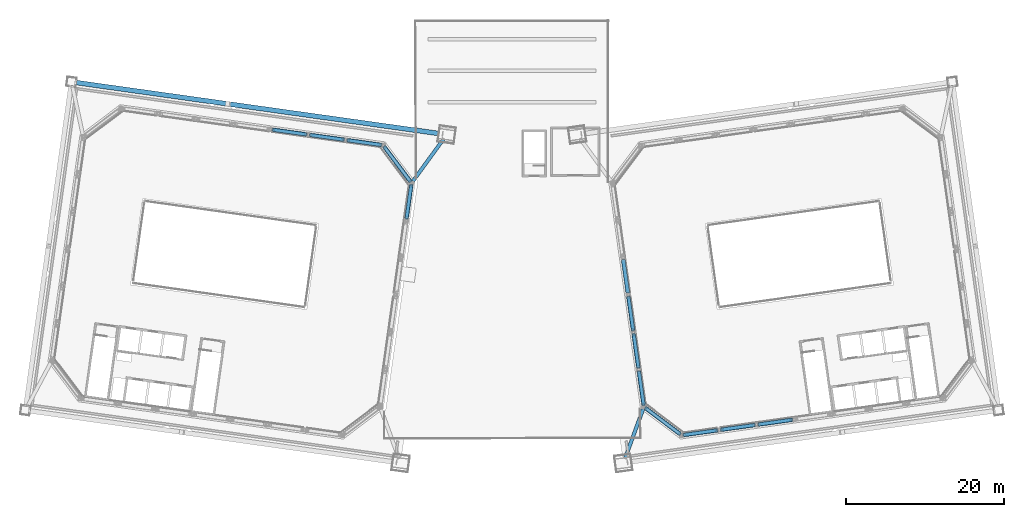
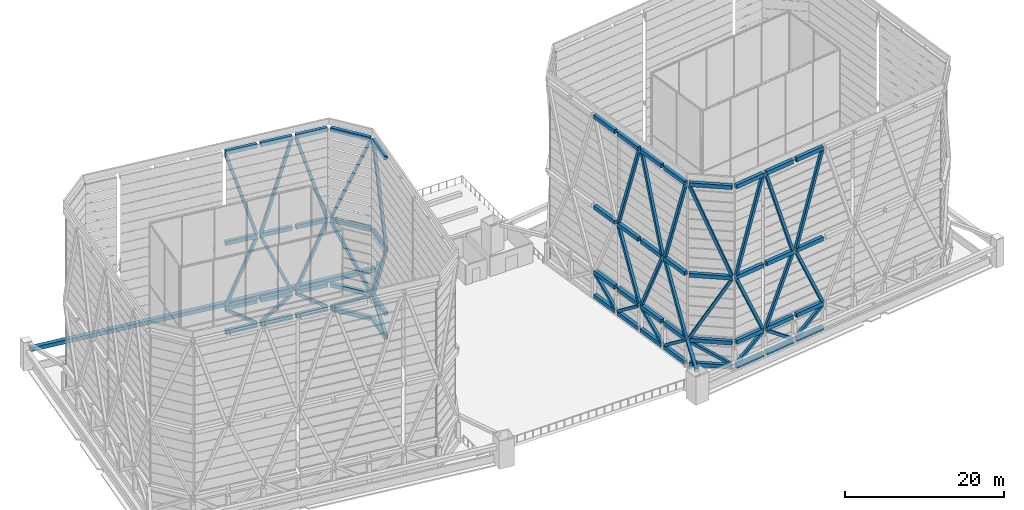
# One storey, part 10 of 45: 52 beams, 40 members.
"""IFC4 building model written with IfcOpenShell, lengths in metres."""

from ifc_helpers import new_model, si_unit, direction, frame, origin, origin_2d, place, context, subcontext, project, spatial, hollow_rectangle, extrude, material, material_profile, profile_set, type_object, element, save


model = new_model("IFC4")

# Units and contexts
model_context = context("Model", 3, precision=1e-05, world=origin(), true_north=direction((0.0, 1.0)))
body_context = subcontext(model_context, "Body", "Model", "MODEL_VIEW")
ifc_project = project(units=[si_unit("LENGTHUNIT", "METRE"), si_unit("AREAUNIT", "SQUARE_METRE"), si_unit("VOLUMEUNIT", "CUBIC_METRE"), si_unit("PLANEANGLEUNIT", "RADIAN"), si_unit("MASSUNIT", "GRAM", prefix="KILO")], contexts=[model_context])

# Site, building, storey
site_placement = place(None, origin())
site = spatial("IfcSite", under=ifc_project, at=site_placement, CompositionType="ELEMENT")
building_placement = place(site_placement, origin())
building = spatial("IfcBuilding", under=site, at=building_placement, Name="Mirante Cascada Hotel Towers", CompositionType="ELEMENT")
storey_placement = place(building_placement, frame((0.0, 0.0, 269.8)))
storey = spatial("IfcBuildingStorey", under=building, at=storey_placement, Name="Roof garden", CompositionType="ELEMENT", Elevation=269.8)

# Beams
ifc_material_1 = material(Name="Steel ASTM A572 Gr 50", Category="steel")
ifc_material_profile_1 = material_profile(ifc_material_1, hollow_rectangle(XDim=0.5, YDim=0.6, WallThickness=0.03, at=origin_2d()), Name="Box beam 600x500x30 ASTM A572 Gr 50")
ifc_profile_set_1 = profile_set([ifc_material_profile_1], Name="Steel ASTM A572 Gr 50")
beam_type = type_object("IfcBeamType", Name="Box beam 600x500x30 ASTM A572 Gr 50", PredefinedType="BEAM", material=ifc_profile_set_1)
beam_1_placement = place(storey_placement, frame((-13.3522, 5.5489, 0.3), z_axis=(0.1391856, 0.9902663, 0.0), x_axis=(-0.9902663, 0.1391856, 0.0)))
element("IfcBeam", 1, at=beam_1_placement, inside=storey, type_object=beam_type, Name="CROWN FRAME ring beam T1 7", PredefinedType="BEAM", context=body_context, shape_type="SweptSolid", body=[
    extrude(hollow_rectangle(XDim=0.5, YDim=0.6, WallThickness=0.03, at=origin_2d()), origin(), (0.0, 0.0, 1.0), 4.2713),
])
beam_2_placement = place(storey_placement, frame((-12.8734, 10.2258, 0.3), z_axis=(-0.6018225, 0.7986299, 0.0), x_axis=(-0.7986299, -0.6018225, 0.0)))
element("IfcBeam", 2, at=beam_2_placement, inside=storey, type_object=beam_type, Name="CROWN FRAME ring beam T1 8", PredefinedType="BEAM", context=body_context, shape_type="SweptSolid", body=[
    extrude(hollow_rectangle(XDim=0.5, YDim=0.6, WallThickness=0.03, at=origin_2d()), origin(), (0.0, 0.0, 1.0), 5.4912),
])
for number, where, z_axis, x_axis, name in (
    (3, (-16.5761, 14.8457, 0.3), (-0.9902679, 0.1391744, 0.0), (-0.1391744, -0.9902679, 0.0), "CROWN FRAME ring beam T1 9"),
    (4, (-21.317, 15.512, 0.3), (-0.9902679, 0.1391744, 0.0), (-0.1391744, -0.9902679, 0.0), "CROWN FRAME ring beam T1 10"),
    (5, (-26.0579, 16.1783, 0.3), (-0.9902679, 0.1391744, 0.0), (-0.1391744, -0.9902679, 0.0), "CROWN FRAME ring beam T1 11"),
):
    element("IfcBeam", number, at=place(storey_placement, frame(where, z_axis=z_axis, x_axis=x_axis)), inside=storey, type_object=beam_type, Name=name, PredefinedType="BEAM", context=body_context, shape_type="SweptSolid", body=[
        extrude(hollow_rectangle(XDim=0.5, YDim=0.6, WallThickness=0.03, at=origin_2d()), origin(), (0.0, 0.0, 1.0), 4.2874),
    ])
beam_3_placement = place(storey_placement, frame((-13.3522, 5.5489, 4.0), z_axis=(0.1391856, 0.9902663, 0.0), x_axis=(-0.9902663, 0.1391856, 0.0)))
element("IfcBeam", 6, at=beam_3_placement, inside=storey, type_object=beam_type, Name="CROWN FRAME ring beam T1 37", PredefinedType="BEAM", context=body_context, shape_type="SweptSolid", body=[
    extrude(hollow_rectangle(XDim=0.5, YDim=0.6, WallThickness=0.03, at=origin_2d()), origin(), (0.0, 0.0, 1.0), 4.2713),
])
beam_4_placement = place(storey_placement, frame((-12.8734, 10.2258, 4.0), z_axis=(-0.6018225, 0.7986299, 0.0), x_axis=(-0.7986299, -0.6018225, 0.0)))
element("IfcBeam", 7, at=beam_4_placement, inside=storey, type_object=beam_type, Name="CROWN FRAME ring beam T1 38", PredefinedType="BEAM", context=body_context, shape_type="SweptSolid", body=[
    extrude(hollow_rectangle(XDim=0.5, YDim=0.6, WallThickness=0.03, at=origin_2d()), origin(), (0.0, 0.0, 1.0), 5.4912),
])
for number, where, z_axis, x_axis, name in (
    (8, (-16.5761, 14.8457, 4.0), (-0.9902679, 0.1391744, 0.0), (-0.1391744, -0.9902679, 0.0), "CROWN FRAME ring beam T1 39"),
    (9, (-21.317, 15.512, 4.0), (-0.9902679, 0.1391744, 0.0), (-0.1391744, -0.9902679, 0.0), "CROWN FRAME ring beam T1 40"),
    (10, (-26.0579, 16.1783, 4.0), (-0.9902679, 0.1391744, 0.0), (-0.1391744, -0.9902679, 0.0), "CROWN FRAME ring beam T1 41"),
):
    element("IfcBeam", number, at=place(storey_placement, frame(where, z_axis=z_axis, x_axis=x_axis)), inside=storey, type_object=beam_type, Name=name, PredefinedType="BEAM", context=body_context, shape_type="SweptSolid", body=[
        extrude(hollow_rectangle(XDim=0.5, YDim=0.6, WallThickness=0.03, at=origin_2d()), origin(), (0.0, 0.0, 1.0), 4.2874),
    ])
beam_5_placement = place(storey_placement, frame((-13.3522, 5.5489, 14.0), z_axis=(0.1391856, 0.9902663, 0.0), x_axis=(-0.9902663, 0.1391856, 0.0)))
element("IfcBeam", 11, at=beam_5_placement, inside=storey, type_object=beam_type, Name="CROWN FRAME ring beam T1 67", PredefinedType="BEAM", context=body_context, shape_type="SweptSolid", body=[
    extrude(hollow_rectangle(XDim=0.5, YDim=0.6, WallThickness=0.03, at=origin_2d()), origin(), (0.0, 0.0, 1.0), 4.2713),
])
beam_6_placement = place(storey_placement, frame((-12.8734, 10.2258, 14.0), z_axis=(-0.6018225, 0.7986299, 0.0), x_axis=(-0.7986299, -0.6018225, 0.0)))
element("IfcBeam", 12, at=beam_6_placement, inside=storey, type_object=beam_type, Name="CROWN FRAME ring beam T1 68", PredefinedType="BEAM", context=body_context, shape_type="SweptSolid", body=[
    extrude(hollow_rectangle(XDim=0.5, YDim=0.6, WallThickness=0.03, at=origin_2d()), origin(), (0.0, 0.0, 1.0), 5.4912),
])
for number, where, z_axis, x_axis, name in (
    (13, (-16.5761, 14.8457, 14.0), (-0.9902679, 0.1391744, 0.0), (-0.1391744, -0.9902679, 0.0), "CROWN FRAME ring beam T1 69"),
    (14, (-21.317, 15.512, 14.0), (-0.9902679, 0.1391744, 0.0), (-0.1391744, -0.9902679, 0.0), "CROWN FRAME ring beam T1 70"),
    (15, (-26.0579, 16.1783, 14.0), (-0.9902679, 0.1391744, 0.0), (-0.1391744, -0.9902679, 0.0), "CROWN FRAME ring beam T1 71"),
):
    element("IfcBeam", number, at=place(storey_placement, frame(where, z_axis=z_axis, x_axis=x_axis)), inside=storey, type_object=beam_type, Name=name, PredefinedType="BEAM", context=body_context, shape_type="SweptSolid", body=[
        extrude(hollow_rectangle(XDim=0.5, YDim=0.6, WallThickness=0.03, at=origin_2d()), origin(), (0.0, 0.0, 1.0), 4.2874),
    ])
beam_7_placement = place(storey_placement, frame((-13.3522, 5.5489, 27.95), z_axis=(0.1391856, 0.9902663, 0.0), x_axis=(-0.9902663, 0.1391856, 0.0)))
element("IfcBeam", 16, at=beam_7_placement, inside=storey, type_object=beam_type, Name="CROWN FRAME ring beam T1 97", PredefinedType="BEAM", context=body_context, shape_type="SweptSolid", body=[
    extrude(hollow_rectangle(XDim=0.5, YDim=0.6, WallThickness=0.03, at=origin_2d()), origin(), (0.0, 0.0, 1.0), 4.2713),
])
beam_8_placement = place(storey_placement, frame((-12.8734, 10.2258, 27.95), z_axis=(-0.6018225, 0.7986299, 0.0), x_axis=(-0.7986299, -0.6018225, 0.0)))
element("IfcBeam", 17, at=beam_8_placement, inside=storey, type_object=beam_type, Name="CROWN FRAME ring beam T1 98", PredefinedType="BEAM", context=body_context, shape_type="SweptSolid", body=[
    extrude(hollow_rectangle(XDim=0.5, YDim=0.6, WallThickness=0.03, at=origin_2d()), origin(), (0.0, 0.0, 1.0), 5.4912),
])
for number, where, z_axis, x_axis, name in (
    (18, (-16.5761, 14.8457, 27.95), (-0.9902679, 0.1391744, 0.0), (-0.1391744, -0.9902679, 0.0), "CROWN FRAME ring beam T1 99"),
    (19, (-21.317, 15.512, 27.95), (-0.9902679, 0.1391744, 0.0), (-0.1391744, -0.9902679, 0.0), "CROWN FRAME ring beam T1 100"),
    (20, (-26.0579, 16.1783, 27.95), (-0.9902679, 0.1391744, 0.0), (-0.1391744, -0.9902679, 0.0), "CROWN FRAME ring beam T1 101"),
):
    element("IfcBeam", number, at=place(storey_placement, frame(where, z_axis=z_axis, x_axis=x_axis)), inside=storey, type_object=beam_type, Name=name, PredefinedType="BEAM", context=body_context, shape_type="SweptSolid", body=[
        extrude(hollow_rectangle(XDim=0.5, YDim=0.6, WallThickness=0.03, at=origin_2d()), origin(), (0.0, 0.0, 1.0), 4.2874),
    ])
beam_9_placement = place(storey_placement, frame((21.2922, -21.7776, 0.3), z_axis=(-0.7986365, 0.6018137, 0.0), x_axis=(-0.6018137, -0.7986365, 0.0)))
element("IfcBeam", 21, at=beam_9_placement, inside=storey, type_object=beam_type, Name="CROWN FRAME ring beam T2 1", PredefinedType="BEAM", context=body_context, shape_type="SweptSolid", body=[
    extrude(hollow_rectangle(XDim=0.5, YDim=0.6, WallThickness=0.03, at=origin_2d()), origin(), (0.0, 0.0, 1.0), 5.4912),
])
for number, where, z_axis, x_axis, name in (
    (22, (16.6723, -18.0749, 0.3), (-0.1391888, 0.9902659, 0.0), (-0.9902659, -0.1391888, 0.0), "CROWN FRAME ring beam T2 2"),
    (23, (16.0083, -13.3501, 0.3), (-0.1391888, 0.9902659, 0.0), (-0.9902659, -0.1391888, 0.0), "CROWN FRAME ring beam T2 3"),
):
    element("IfcBeam", number, at=place(storey_placement, frame(where, z_axis=z_axis, x_axis=x_axis)), inside=storey, type_object=beam_type, Name=name, PredefinedType="BEAM", context=body_context, shape_type="SweptSolid", body=[
        extrude(hollow_rectangle(XDim=0.5, YDim=0.6, WallThickness=0.03, at=origin_2d()), origin(), (0.0, 0.0, 1.0), 4.2712),
    ])
beam_10_placement = place(storey_placement, frame((15.3442, -8.6254, 0.3), z_axis=(-0.1391626, 0.9902695, 0.0), x_axis=(-0.9902695, -0.1391626, 0.0)))
element("IfcBeam", 24, at=beam_10_placement, inside=storey, type_object=beam_type, Name="CROWN FRAME ring beam T2 4", PredefinedType="BEAM", context=body_context, shape_type="SweptSolid", body=[
    extrude(hollow_rectangle(XDim=0.5, YDim=0.6, WallThickness=0.03, at=origin_2d()), origin(), (0.0, 0.0, 1.0), 4.2713),
])
beam_11_placement = place(storey_placement, frame((14.6802, -3.9006, 0.3), z_axis=(-0.1391659, 0.9902691, 0.0), x_axis=(-0.9902691, -0.1391659, 0.0)))
element("IfcBeam", 25, at=beam_11_placement, inside=storey, type_object=beam_type, Name="CROWN FRAME ring beam T2 5", PredefinedType="BEAM", context=body_context, shape_type="SweptSolid", body=[
    extrude(hollow_rectangle(XDim=0.5, YDim=0.6, WallThickness=0.03, at=origin_2d()), origin(), (0.0, 0.0, 1.0), 4.2712),
])
for number, where, z_axis, x_axis, name in (
    (26, (35.467, -19.964, 0.3), (-0.9902683, -0.1391712, 0.0), (0.1391712, -0.9902683, 0.0), "CROWN FRAME ring beam T2 28"),
    (27, (30.7261, -20.6303, 0.3), (-0.9902683, -0.1391712, 0.0), (0.1391712, -0.9902683, 0.0), "CROWN FRAME ring beam T2 29"),
    (28, (25.9852, -21.2966, 0.3), (-0.9902683, -0.1391712, 0.0), (0.1391712, -0.9902683, 0.0), "CROWN FRAME ring beam T2 30"),
):
    element("IfcBeam", number, at=place(storey_placement, frame(where, z_axis=z_axis, x_axis=x_axis)), inside=storey, type_object=beam_type, Name=name, PredefinedType="BEAM", context=body_context, shape_type="SweptSolid", body=[
        extrude(hollow_rectangle(XDim=0.5, YDim=0.6, WallThickness=0.03, at=origin_2d()), origin(), (0.0, 0.0, 1.0), 4.2875),
    ])
beam_12_placement = place(storey_placement, frame((21.2922, -21.7776, 4.0), z_axis=(-0.7986365, 0.6018137, 0.0), x_axis=(-0.6018137, -0.7986365, 0.0)))
element("IfcBeam", 29, at=beam_12_placement, inside=storey, type_object=beam_type, Name="CROWN FRAME ring beam T2 31", PredefinedType="BEAM", context=body_context, shape_type="SweptSolid", body=[
    extrude(hollow_rectangle(XDim=0.5, YDim=0.6, WallThickness=0.03, at=origin_2d()), origin(), (0.0, 0.0, 1.0), 5.4912),
])
for number, where, z_axis, x_axis, name in (
    (30, (16.6723, -18.0749, 4.0), (-0.1391888, 0.9902659, 0.0), (-0.9902659, -0.1391888, 0.0), "CROWN FRAME ring beam T2 32"),
    (31, (16.0083, -13.3501, 4.0), (-0.1391888, 0.9902659, 0.0), (-0.9902659, -0.1391888, 0.0), "CROWN FRAME ring beam T2 33"),
):
    element("IfcBeam", number, at=place(storey_placement, frame(where, z_axis=z_axis, x_axis=x_axis)), inside=storey, type_object=beam_type, Name=name, PredefinedType="BEAM", context=body_context, shape_type="SweptSolid", body=[
        extrude(hollow_rectangle(XDim=0.5, YDim=0.6, WallThickness=0.03, at=origin_2d()), origin(), (0.0, 0.0, 1.0), 4.2712),
    ])
beam_13_placement = place(storey_placement, frame((15.3442, -8.6254, 4.0), z_axis=(-0.1391626, 0.9902695, 0.0), x_axis=(-0.9902695, -0.1391626, 0.0)))
element("IfcBeam", 32, at=beam_13_placement, inside=storey, type_object=beam_type, Name="CROWN FRAME ring beam T2 34", PredefinedType="BEAM", context=body_context, shape_type="SweptSolid", body=[
    extrude(hollow_rectangle(XDim=0.5, YDim=0.6, WallThickness=0.03, at=origin_2d()), origin(), (0.0, 0.0, 1.0), 4.2713),
])
beam_14_placement = place(storey_placement, frame((14.6802, -3.9006, 4.0), z_axis=(-0.1391659, 0.9902691, 0.0), x_axis=(-0.9902691, -0.1391659, 0.0)))
element("IfcBeam", 33, at=beam_14_placement, inside=storey, type_object=beam_type, Name="CROWN FRAME ring beam T2 35", PredefinedType="BEAM", context=body_context, shape_type="SweptSolid", body=[
    extrude(hollow_rectangle(XDim=0.5, YDim=0.6, WallThickness=0.03, at=origin_2d()), origin(), (0.0, 0.0, 1.0), 4.2712),
])
for number, where, z_axis, x_axis, name in (
    (34, (35.467, -19.964, 4.0), (-0.9902683, -0.1391712, 0.0), (0.1391712, -0.9902683, 0.0), "CROWN FRAME ring beam T2 58"),
    (35, (30.7261, -20.6303, 4.0), (-0.9902683, -0.1391712, 0.0), (0.1391712, -0.9902683, 0.0), "CROWN FRAME ring beam T2 59"),
    (36, (25.9852, -21.2966, 4.0), (-0.9902683, -0.1391712, 0.0), (0.1391712, -0.9902683, 0.0), "CROWN FRAME ring beam T2 60"),
):
    element("IfcBeam", number, at=place(storey_placement, frame(where, z_axis=z_axis, x_axis=x_axis)), inside=storey, type_object=beam_type, Name=name, PredefinedType="BEAM", context=body_context, shape_type="SweptSolid", body=[
        extrude(hollow_rectangle(XDim=0.5, YDim=0.6, WallThickness=0.03, at=origin_2d()), origin(), (0.0, 0.0, 1.0), 4.2875),
    ])
beam_15_placement = place(storey_placement, frame((21.2922, -21.7776, 14.0), z_axis=(-0.7986365, 0.6018137, 0.0), x_axis=(-0.6018137, -0.7986365, 0.0)))
element("IfcBeam", 37, at=beam_15_placement, inside=storey, type_object=beam_type, Name="CROWN FRAME ring beam T2 61", PredefinedType="BEAM", context=body_context, shape_type="SweptSolid", body=[
    extrude(hollow_rectangle(XDim=0.5, YDim=0.6, WallThickness=0.03, at=origin_2d()), origin(), (0.0, 0.0, 1.0), 5.4912),
])
for number, where, z_axis, x_axis, name in (
    (38, (16.6723, -18.0749, 14.0), (-0.1391888, 0.9902659, 0.0), (-0.9902659, -0.1391888, 0.0), "CROWN FRAME ring beam T2 62"),
    (39, (16.0083, -13.3501, 14.0), (-0.1391888, 0.9902659, 0.0), (-0.9902659, -0.1391888, 0.0), "CROWN FRAME ring beam T2 63"),
):
    element("IfcBeam", number, at=place(storey_placement, frame(where, z_axis=z_axis, x_axis=x_axis)), inside=storey, type_object=beam_type, Name=name, PredefinedType="BEAM", context=body_context, shape_type="SweptSolid", body=[
        extrude(hollow_rectangle(XDim=0.5, YDim=0.6, WallThickness=0.03, at=origin_2d()), origin(), (0.0, 0.0, 1.0), 4.2712),
    ])
beam_16_placement = place(storey_placement, frame((15.3442, -8.6254, 14.0), z_axis=(-0.1391626, 0.9902695, 0.0), x_axis=(-0.9902695, -0.1391626, 0.0)))
element("IfcBeam", 40, at=beam_16_placement, inside=storey, type_object=beam_type, Name="CROWN FRAME ring beam T2 64", PredefinedType="BEAM", context=body_context, shape_type="SweptSolid", body=[
    extrude(hollow_rectangle(XDim=0.5, YDim=0.6, WallThickness=0.03, at=origin_2d()), origin(), (0.0, 0.0, 1.0), 4.2713),
])
beam_17_placement = place(storey_placement, frame((14.6802, -3.9006, 14.0), z_axis=(-0.1391659, 0.9902691, 0.0), x_axis=(-0.9902691, -0.1391659, 0.0)))
element("IfcBeam", 41, at=beam_17_placement, inside=storey, type_object=beam_type, Name="CROWN FRAME ring beam T2 65", PredefinedType="BEAM", context=body_context, shape_type="SweptSolid", body=[
    extrude(hollow_rectangle(XDim=0.5, YDim=0.6, WallThickness=0.03, at=origin_2d()), origin(), (0.0, 0.0, 1.0), 4.2712),
])
for number, where, z_axis, x_axis, name in (
    (42, (35.467, -19.964, 14.0), (-0.9902683, -0.1391712, 0.0), (0.1391712, -0.9902683, 0.0), "CROWN FRAME ring beam T2 88"),
    (43, (30.7261, -20.6303, 14.0), (-0.9902683, -0.1391712, 0.0), (0.1391712, -0.9902683, 0.0), "CROWN FRAME ring beam T2 89"),
    (44, (25.9852, -21.2966, 14.0), (-0.9902683, -0.1391712, 0.0), (0.1391712, -0.9902683, 0.0), "CROWN FRAME ring beam T2 90"),
):
    element("IfcBeam", number, at=place(storey_placement, frame(where, z_axis=z_axis, x_axis=x_axis)), inside=storey, type_object=beam_type, Name=name, PredefinedType="BEAM", context=body_context, shape_type="SweptSolid", body=[
        extrude(hollow_rectangle(XDim=0.5, YDim=0.6, WallThickness=0.03, at=origin_2d()), origin(), (0.0, 0.0, 1.0), 4.2875),
    ])
beam_18_placement = place(storey_placement, frame((21.2922, -21.7776, 27.95), z_axis=(-0.7986365, 0.6018137, 0.0), x_axis=(-0.6018137, -0.7986365, 0.0)))
element("IfcBeam", 45, at=beam_18_placement, inside=storey, type_object=beam_type, Name="CROWN FRAME ring beam T2 91", PredefinedType="BEAM", context=body_context, shape_type="SweptSolid", body=[
    extrude(hollow_rectangle(XDim=0.5, YDim=0.6, WallThickness=0.03, at=origin_2d()), origin(), (0.0, 0.0, 1.0), 5.4912),
])
for number, where, z_axis, x_axis, name in (
    (46, (16.6723, -18.0749, 27.95), (-0.1391888, 0.9902659, 0.0), (-0.9902659, -0.1391888, 0.0), "CROWN FRAME ring beam T2 92"),
    (47, (16.0083, -13.3501, 27.95), (-0.1391888, 0.9902659, 0.0), (-0.9902659, -0.1391888, 0.0), "CROWN FRAME ring beam T2 93"),
):
    element("IfcBeam", number, at=place(storey_placement, frame(where, z_axis=z_axis, x_axis=x_axis)), inside=storey, type_object=beam_type, Name=name, PredefinedType="BEAM", context=body_context, shape_type="SweptSolid", body=[
        extrude(hollow_rectangle(XDim=0.5, YDim=0.6, WallThickness=0.03, at=origin_2d()), origin(), (0.0, 0.0, 1.0), 4.2712),
    ])
beam_19_placement = place(storey_placement, frame((15.3442, -8.6254, 27.95), z_axis=(-0.1391626, 0.9902695, 0.0), x_axis=(-0.9902695, -0.1391626, 0.0)))
element("IfcBeam", 48, at=beam_19_placement, inside=storey, type_object=beam_type, Name="CROWN FRAME ring beam T2 94", PredefinedType="BEAM", context=body_context, shape_type="SweptSolid", body=[
    extrude(hollow_rectangle(XDim=0.5, YDim=0.6, WallThickness=0.03, at=origin_2d()), origin(), (0.0, 0.0, 1.0), 4.2713),
])
beam_20_placement = place(storey_placement, frame((14.6802, -3.9006, 27.95), z_axis=(-0.1391659, 0.9902691, 0.0), x_axis=(-0.9902691, -0.1391659, 0.0)))
element("IfcBeam", 49, at=beam_20_placement, inside=storey, type_object=beam_type, Name="CROWN FRAME ring beam T2 95", PredefinedType="BEAM", context=body_context, shape_type="SweptSolid", body=[
    extrude(hollow_rectangle(XDim=0.5, YDim=0.6, WallThickness=0.03, at=origin_2d()), origin(), (0.0, 0.0, 1.0), 4.2712),
])
for number, where, z_axis, x_axis, name in (
    (50, (35.467, -19.964, 27.95), (-0.9902683, -0.1391712, 0.0), (0.1391712, -0.9902683, 0.0), "CROWN FRAME ring beam T2 118"),
    (51, (30.7261, -20.6303, 27.95), (-0.9902683, -0.1391712, 0.0), (0.1391712, -0.9902683, 0.0), "CROWN FRAME ring beam T2 119"),
    (52, (25.9852, -21.2966, 27.95), (-0.9902683, -0.1391712, 0.0), (0.1391712, -0.9902683, 0.0), "CROWN FRAME ring beam T2 120"),
):
    element("IfcBeam", number, at=place(storey_placement, frame(where, z_axis=z_axis, x_axis=x_axis)), inside=storey, type_object=beam_type, Name=name, PredefinedType="BEAM", context=body_context, shape_type="SweptSolid", body=[
        extrude(hollow_rectangle(XDim=0.5, YDim=0.6, WallThickness=0.03, at=origin_2d()), origin(), (0.0, 0.0, 1.0), 4.2875),
    ])

# Members
ifc_material_2 = material(Name="Steel ASTM A572 Gr 50", Category="steel")
ifc_material_profile_2 = material_profile(ifc_material_2, hollow_rectangle(XDim=0.4, YDim=0.4, WallThickness=0.025, at=origin_2d()), Name="Box brace 400x400x25 ASTM A572 Gr 50")
ifc_profile_set_2 = profile_set([ifc_material_profile_2], Name="Steel ASTM A572 Gr 50")
member_type_1 = type_object("IfcMemberType", Name="Box brace 400x400x25 ASTM A572 Gr 50", PredefinedType="BRACE", material=ifc_profile_set_2)
member_1_placement = place(storey_placement, frame((-13.3452, 5.5984, 0.6), z_axis=(0.1116973, 0.7948114, 0.5964886), x_axis=(-0.9902691, 0.1391656, 0.0)))
element("IfcMember", 53, at=member_1_placement, inside=storey, type_object=member_type_1, Name="Hat truss diagonal T1 7", PredefinedType="BRACE", context=body_context, shape_type="SweptSolid", body=[
    extrude(hollow_rectangle(XDim=0.4, YDim=0.4, WallThickness=0.025, at=origin_2d()), origin(), (0.0, 0.0, 1.0), 5.1971),
])
member_2_placement = place(storey_placement, frame((-16.148, 14.5713, 0.6), z_axis=(0.5217143, -0.6923388, 0.4984788), x_axis=(0.7986357, 0.6018147, 0.0)))
element("IfcMember", 54, at=member_2_placement, inside=storey, type_object=member_type_1, Name="Hat truss diagonal T1 8", PredefinedType="BRACE", context=body_context, shape_type="SweptSolid", body=[
    extrude(hollow_rectangle(XDim=0.4, YDim=0.4, WallThickness=0.025, at=origin_2d()), origin(), (0.0, 0.0, 1.0), 6.2189),
])
for number, where, z_axis, x_axis, name in (
    (55, (-16.6256, 14.8526, 0.6), (-0.7959018, 0.1118604, 0.5950022), (-0.1391776, -0.9902674, 0.0), "Hat truss diagonal T1 9"),
    (56, (-25.5132, 16.1017, 0.6), (0.7959018, -0.1118604, 0.5950022), (0.1391776, 0.9902674, 0.0), "Hat truss diagonal T1 10"),
    (57, (-26.1074, 16.1852, 0.6), (-0.7959018, 0.1118604, 0.5950022), (-0.1391776, -0.9902674, 0.0), "Hat truss diagonal T1 11"),
):
    element("IfcMember", number, at=place(storey_placement, frame(where, z_axis=z_axis, x_axis=x_axis)), inside=storey, type_object=member_type_1, Name=name, PredefinedType="BRACE", context=body_context, shape_type="SweptSolid", body=[
        extrude(hollow_rectangle(XDim=0.4, YDim=0.4, WallThickness=0.025, at=origin_2d()), origin(), (0.0, 0.0, 1.0), 5.2101),
    ])
member_3_placement = place(storey_placement, frame((-12.7647, 9.7291, 4.3), z_axis=(-0.0564472, -0.4016647, 0.9140455), x_axis=(0.9902691, -0.1391656, 0.0)))
element("IfcMember", 58, at=member_3_placement, inside=storey, type_object=member_type_1, Name="CROWN FRAME brace T1 37", PredefinedType="BRACE", context=body_context, shape_type="SweptSolid", body=[
    extrude(hollow_rectangle(XDim=0.4, YDim=0.4, WallThickness=0.025, at=origin_2d()), origin(), (0.0, 0.0, 1.0), 10.284),
])
member_4_placement = place(storey_placement, frame((-12.9035, 10.2657, 4.3), z_axis=(-0.2994109, 0.3973319, 0.8674563), x_axis=(-0.7986357, -0.6018147, 0.0)))
element("IfcMember", 59, at=member_4_placement, inside=storey, type_object=member_type_1, Name="CROWN FRAME brace T1 38", PredefinedType="BRACE", context=body_context, shape_type="SweptSolid", body=[
    extrude(hollow_rectangle(XDim=0.4, YDim=0.4, WallThickness=0.025, at=origin_2d()), origin(), (0.0, 0.0, 1.0), 10.8363),
])
for number, where, z_axis, x_axis, name in (
    (60, (-20.7723, 15.4354, 4.3), (0.4029632, -0.0566347, 0.9134622), (0.1391776, 0.9902674, 0.0), "CROWN FRAME brace T1 39"),
    (61, (-21.3665, 15.5189, 4.3), (-0.4029632, 0.0566347, 0.9134622), (-0.1391776, -0.9902674, 0.0), "CROWN FRAME brace T1 40"),
    (62, (-30.2541, 16.768, 4.3), (0.4029632, -0.0566347, 0.9134622), (0.1391776, 0.9902674, 0.0), "CROWN FRAME brace T1 41"),
):
    element("IfcMember", number, at=place(storey_placement, frame(where, z_axis=z_axis, x_axis=x_axis)), inside=storey, type_object=member_type_1, Name=name, PredefinedType="BRACE", context=body_context, shape_type="SweptSolid", body=[
        extrude(hollow_rectangle(XDim=0.4, YDim=0.4, WallThickness=0.025, at=origin_2d()), origin(), (0.0, 0.0, 1.0), 10.2905),
    ])
member_5_placement = place(storey_placement, frame((-13.3452, 5.5984, 14.3), z_axis=(0.0415043, 0.2953348, 0.9544919), x_axis=(-0.9902691, 0.1391656, 0.0)))
element("IfcMember", 63, at=member_5_placement, inside=storey, type_object=member_type_1, Name="CROWN FRAME brace T1 67", PredefinedType="BRACE", context=body_context, shape_type="SweptSolid", body=[
    extrude(hollow_rectangle(XDim=0.4, YDim=0.4, WallThickness=0.025, at=origin_2d()), origin(), (0.0, 0.0, 1.0), 13.9865),
])
member_6_placement = place(storey_placement, frame((-16.148, 14.5713, 14.3), z_axis=(0.2253519, -0.2990523, 0.9272455), x_axis=(0.7986357, 0.6018147, 0.0)))
element("IfcMember", 64, at=member_6_placement, inside=storey, type_object=member_type_1, Name="CROWN FRAME brace T1 68", PredefinedType="BRACE", context=body_context, shape_type="SweptSolid", body=[
    extrude(hollow_rectangle(XDim=0.4, YDim=0.4, WallThickness=0.025, at=origin_2d()), origin(), (0.0, 0.0, 1.0), 14.3975),
])
for number, where, z_axis, x_axis, name in (
    (65, (-16.6256, 14.8526, 14.3), (-0.2963764, 0.0416544, 0.9541624), (-0.1391776, -0.9902674, 0.0), "CROWN FRAME brace T1 69"),
    (66, (-25.5132, 16.1017, 14.3), (0.2963764, -0.0416544, 0.9541624), (0.1391776, 0.9902674, 0.0), "CROWN FRAME brace T1 70"),
    (67, (-26.1074, 16.1852, 14.3), (-0.2963764, 0.0416544, 0.9541624), (-0.1391776, -0.9902674, 0.0), "CROWN FRAME brace T1 71"),
):
    element("IfcMember", number, at=place(storey_placement, frame(where, z_axis=z_axis, x_axis=x_axis)), inside=storey, type_object=member_type_1, Name=name, PredefinedType="BRACE", context=body_context, shape_type="SweptSolid", body=[
        extrude(hollow_rectangle(XDim=0.4, YDim=0.4, WallThickness=0.025, at=origin_2d()), origin(), (0.0, 0.0, 1.0), 13.9913),
    ])
member_7_placement = place(storey_placement, frame((21.2522, -21.7475, 0.6), z_axis=(-0.6923304, 0.5217202, 0.4984843), x_axis=(-0.6018237, -0.798629, 0.0)))
element("IfcMember", 68, at=member_7_placement, inside=storey, type_object=member_type_1, Name="Hat truss diagonal T2 1", PredefinedType="BRACE", context=body_context, shape_type="SweptSolid", body=[
    extrude(hollow_rectangle(XDim=0.4, YDim=0.4, WallThickness=0.025, at=origin_2d()), origin(), (0.0, 0.0, 1.0), 6.2189),
])
for number, where, z_axis, x_axis, name in (
    (69, (16.0848, -13.8948, 0.6), (0.111699, -0.7948043, 0.5964977), (0.9902687, 0.1391689, 0.0), "Hat truss diagonal T2 2"),
    (70, (16.0013, -13.3006, 0.6), (-0.111699, 0.7948043, 0.5964977), (-0.9902687, -0.1391689, 0.0), "Hat truss diagonal T2 3"),
):
    element("IfcMember", number, at=place(storey_placement, frame(where, z_axis=z_axis, x_axis=x_axis)), inside=storey, type_object=member_type_1, Name=name, PredefinedType="BRACE", context=body_context, shape_type="SweptSolid", body=[
        extrude(hollow_rectangle(XDim=0.4, YDim=0.4, WallThickness=0.025, at=origin_2d()), origin(), (0.0, 0.0, 1.0), 5.197),
    ])
member_8_placement = place(storey_placement, frame((14.7568, -4.4452, 0.6), z_axis=(0.1116973, -0.7948114, 0.5964886), x_axis=(0.9902691, 0.1391656, 0.0)))
element("IfcMember", 71, at=member_8_placement, inside=storey, type_object=member_type_1, Name="Hat truss diagonal T2 4", PredefinedType="BRACE", context=body_context, shape_type="SweptSolid", body=[
    extrude(hollow_rectangle(XDim=0.4, YDim=0.4, WallThickness=0.025, at=origin_2d()), origin(), (0.0, 0.0, 1.0), 5.1971),
])
member_9_placement = place(storey_placement, frame((14.6732, -3.8511, 0.6), z_axis=(-0.111699, 0.7948043, 0.5964977), x_axis=(-0.9902687, -0.1391689, 0.0)))
element("IfcMember", 72, at=member_9_placement, inside=storey, type_object=member_type_1, Name="Hat truss diagonal T2 5", PredefinedType="BRACE", context=body_context, shape_type="SweptSolid", body=[
    extrude(hollow_rectangle(XDim=0.4, YDim=0.4, WallThickness=0.025, at=origin_2d()), origin(), (0.0, 0.0, 1.0), 5.197),
])
for number, where, z_axis, x_axis, name in (
    (73, (31.2707, -20.5537, 0.6), (0.7959018, 0.1118604, 0.5950022), (-0.1391776, 0.9902674, 0.0), "Hat truss diagonal T2 28"),
    (74, (30.6765, -20.6372, 0.6), (-0.7959018, -0.1118604, 0.5950022), (0.1391776, -0.9902674, 0.0), "Hat truss diagonal T2 29"),
    (75, (21.7889, -21.8863, 0.6), (0.7959018, 0.1118604, 0.5950022), (-0.1391776, 0.9902674, 0.0), "Hat truss diagonal T2 30"),
):
    element("IfcMember", number, at=place(storey_placement, frame(where, z_axis=z_axis, x_axis=x_axis)), inside=storey, type_object=member_type_1, Name=name, PredefinedType="BRACE", context=body_context, shape_type="SweptSolid", body=[
        extrude(hollow_rectangle(XDim=0.4, YDim=0.4, WallThickness=0.025, at=origin_2d()), origin(), (0.0, 0.0, 1.0), 5.2101),
    ])
member_10_placement = place(storey_placement, frame((16.9467, -18.503, 4.3), z_axis=(0.3973241, -0.299412, 0.8674595), x_axis=(0.6018237, 0.798629, 0.0)))
element("IfcMember", 76, at=member_10_placement, inside=storey, type_object=member_type_1, Name="CROWN FRAME brace T2 31", PredefinedType="BRACE", context=body_context, shape_type="SweptSolid", body=[
    extrude(hollow_rectangle(XDim=0.4, YDim=0.4, WallThickness=0.025, at=origin_2d()), origin(), (0.0, 0.0, 1.0), 10.8362),
])
for number, where, z_axis, x_axis, name in (
    (77, (16.6653, -18.0254, 4.3), (-0.0564474, 0.4016565, 0.9140491), (-0.9902687, -0.1391689, 0.0), "CROWN FRAME brace T2 32"),
    (78, (15.4208, -9.17, 4.3), (0.0564474, -0.4016565, 0.9140491), (0.9902687, 0.1391689, 0.0), "CROWN FRAME brace T2 33"),
):
    element("IfcMember", number, at=place(storey_placement, frame(where, z_axis=z_axis, x_axis=x_axis)), inside=storey, type_object=member_type_1, Name=name, PredefinedType="BRACE", context=body_context, shape_type="SweptSolid", body=[
        extrude(hollow_rectangle(XDim=0.4, YDim=0.4, WallThickness=0.025, at=origin_2d()), origin(), (0.0, 0.0, 1.0), 10.2839),
    ])
member_11_placement = place(storey_placement, frame((15.3373, -8.5759, 4.3), z_axis=(-0.0564472, 0.4016647, 0.9140455), x_axis=(-0.9902691, -0.1391656, 0.0)))
element("IfcMember", 79, at=member_11_placement, inside=storey, type_object=member_type_1, Name="CROWN FRAME brace T2 34", PredefinedType="BRACE", context=body_context, shape_type="SweptSolid", body=[
    extrude(hollow_rectangle(XDim=0.4, YDim=0.4, WallThickness=0.025, at=origin_2d()), origin(), (0.0, 0.0, 1.0), 10.284),
])
for number, where, z_axis, x_axis, name in (
    (80, (35.4174, -19.9709, 4.3), (-0.4029632, -0.0566347, 0.9134622), (0.1391776, -0.9902674, 0.0), "CROWN FRAME brace T2 58"),
    (81, (26.5298, -21.22, 4.3), (0.4029632, 0.0566347, 0.9134622), (-0.1391776, 0.9902674, 0.0), "CROWN FRAME brace T2 59"),
    (82, (25.9356, -21.3035, 4.3), (-0.4029632, -0.0566347, 0.9134622), (0.1391776, -0.9902674, 0.0), "CROWN FRAME brace T2 60"),
):
    element("IfcMember", number, at=place(storey_placement, frame(where, z_axis=z_axis, x_axis=x_axis)), inside=storey, type_object=member_type_1, Name=name, PredefinedType="BRACE", context=body_context, shape_type="SweptSolid", body=[
        extrude(hollow_rectangle(XDim=0.4, YDim=0.4, WallThickness=0.025, at=origin_2d()), origin(), (0.0, 0.0, 1.0), 10.2905),
    ])
member_12_placement = place(storey_placement, frame((21.2522, -21.7475, 14.3), z_axis=(-0.299046, 0.2253524, 0.9272474), x_axis=(-0.6018237, -0.798629, 0.0)))
element("IfcMember", 83, at=member_12_placement, inside=storey, type_object=member_type_1, Name="CROWN FRAME brace T2 61", PredefinedType="BRACE", context=body_context, shape_type="SweptSolid", body=[
    extrude(hollow_rectangle(XDim=0.4, YDim=0.4, WallThickness=0.025, at=origin_2d()), origin(), (0.0, 0.0, 1.0), 14.3975),
])
for number, where, z_axis, x_axis, name in (
    (84, (16.0848, -13.8948, 14.3), (0.0415044, -0.2953283, 0.9544939), (0.9902687, 0.1391689, 0.0), "CROWN FRAME brace T2 62"),
    (85, (16.0013, -13.3006, 14.3), (-0.0415044, 0.2953283, 0.9544939), (-0.9902687, -0.1391689, 0.0), "CROWN FRAME brace T2 63"),
    (86, (14.7568, -4.4452, 14.3), (0.0415043, -0.2953348, 0.9544919), (0.9902691, 0.1391656, 0.0), "CROWN FRAME brace T2 64"),
):
    element("IfcMember", number, at=place(storey_placement, frame(where, z_axis=z_axis, x_axis=x_axis)), inside=storey, type_object=member_type_1, Name=name, PredefinedType="BRACE", context=body_context, shape_type="SweptSolid", body=[
        extrude(hollow_rectangle(XDim=0.4, YDim=0.4, WallThickness=0.025, at=origin_2d()), origin(), (0.0, 0.0, 1.0), 13.9865),
    ])
for number, where, z_axis, x_axis, name in (
    (87, (31.2707, -20.5537, 14.3), (0.2963764, 0.0416544, 0.9541624), (-0.1391776, 0.9902674, 0.0), "CROWN FRAME brace T2 88"),
    (88, (30.6765, -20.6372, 14.3), (-0.2963764, -0.0416544, 0.9541624), (0.1391776, -0.9902674, 0.0), "CROWN FRAME brace T2 89"),
    (89, (21.7889, -21.8863, 14.3), (0.2963764, 0.0416544, 0.9541624), (-0.1391776, 0.9902674, 0.0), "CROWN FRAME brace T2 90"),
):
    element("IfcMember", number, at=place(storey_placement, frame(where, z_axis=z_axis, x_axis=x_axis)), inside=storey, type_object=member_type_1, Name=name, PredefinedType="BRACE", context=body_context, shape_type="SweptSolid", body=[
        extrude(hollow_rectangle(XDim=0.4, YDim=0.4, WallThickness=0.025, at=origin_2d()), origin(), (0.0, 0.0, 1.0), 13.9913),
    ])
ifc_material_3 = material(Name="Steel ASTM A572 Gr 50", Category="steel")
ifc_material_profile_3 = material_profile(ifc_material_3, hollow_rectangle(XDim=0.6, YDim=0.6, WallThickness=0.04, at=origin_2d()), Name="Box chord 600x600x40 ASTM A572 Gr 50")
ifc_profile_set_3 = profile_set([ifc_material_profile_3], Name="Steel ASTM A572 Gr 50")
member_type_2 = type_object("IfcMemberType", Name="Box chord 600x600x40 ASTM A572 Gr 50", PredefinedType="CHORD", material=ifc_profile_set_3)
member_13_placement = place(storey_placement, frame((-8.7871, 16.2251, 2.8), z_axis=(-0.990268, 0.1391734, 0.0), x_axis=(-0.1391734, -0.990268, 0.0)))
element("IfcMember", 90, at=member_13_placement, inside=storey, type_object=member_type_2, Name="exochord T1 Roof garden 1", PredefinedType="CHORD", context=body_context, shape_type="SweptSolid", body=[
    extrude(hollow_rectangle(XDim=0.6, YDim=0.6, WallThickness=0.04, at=origin_2d()), origin(), (0.0, 0.0, 1.0), 46.94),
])
ifc_material_4 = material(Name="Steel ASTM A572 Gr 50", Category="steel")
ifc_material_profile_4 = material_profile(ifc_material_4, hollow_rectangle(XDim=0.45, YDim=0.45, WallThickness=0.03, at=origin_2d()), Name="Box tie 450x450x30 ASTM A572 Gr 50")
ifc_profile_set_4 = profile_set([ifc_material_profile_4], Name="Steel ASTM A572 Gr 50")
member_type_3 = type_object("IfcMemberType", Name="Box tie 450x450x30 ASTM A572 Gr 50", PredefinedType="STRUT", material=ifc_profile_set_4)
for number, where, z_axis, x_axis, name in (
    (91, (-8.6292, 15.6475, 4.0), (-0.5886939, -0.808356, 0.0), (0.808356, -0.5886939, 0.0), "CROWN FRAME tie T1 1"),
    (92, (14.3214, -24.8545, 4.0), (0.3430655, 0.9393115, 0.0), (-0.9393115, 0.3430655, 0.0), "CROWN FRAME tie T2 2"),
):
    element("IfcMember", number, at=place(storey_placement, frame(where, z_axis=z_axis, x_axis=x_axis)), inside=storey, type_object=member_type_3, Name=name, PredefinedType="STRUT", context=body_context, shape_type="SweptSolid", body=[
        extrude(hollow_rectangle(XDim=0.45, YDim=0.45, WallThickness=0.03, at=origin_2d()), origin(), (0.0, 0.0, 1.0), 6.6707),
    ])

save(model, "model.ifc")
